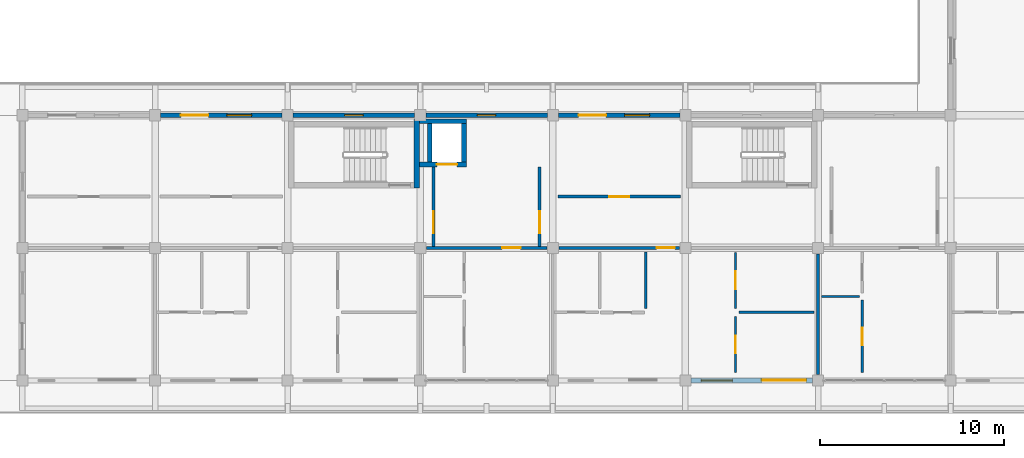
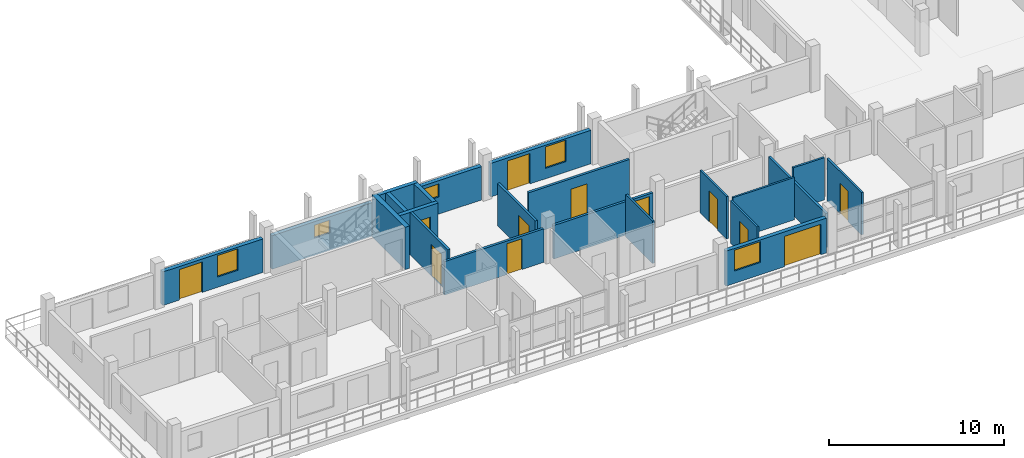
# One storey, part 53 of 78: 22 walls, 12 doors, 5 windows, 17 openings.
"""IFC4 building model written with IfcOpenShell, lengths in metres."""

from ifc_helpers import new_model, si_unit, direction, frame, frame_2d, origin, place, context, subcontext, project, spatial, rectangle, extrude, material, layer, layer_set, type_object, element, fill, save


model = new_model("IFC4")

# Units and contexts
model_context = context("Model", 3, precision=1e-05, world=origin(), true_north=direction((0.0, 1.0)))
body_context = subcontext(model_context, "Body", "Model", "MODEL_VIEW")
ifc_project = project(units=[si_unit("LENGTHUNIT", "METRE"), si_unit("AREAUNIT", "SQUARE_METRE"), si_unit("VOLUMEUNIT", "CUBIC_METRE"), si_unit("PLANEANGLEUNIT", "RADIAN"), si_unit("MASSUNIT", "GRAM", prefix="KILO")], contexts=[model_context])

# Site, building, storey
site_placement = place(None, origin())
site = spatial("IfcSite", under=ifc_project, at=site_placement, CompositionType="ELEMENT")
building_placement = place(site_placement, origin())
building = spatial("IfcBuilding", under=site, at=building_placement, Name="Suanplinth Sawtooth Commons", CompositionType="ELEMENT")
storey_placement = place(building_placement, frame((0.0, 0.0, 15.39990234375)))
storey = spatial("IfcBuildingStorey", under=building, at=storey_placement, Name="L04", CompositionType="ELEMENT", Elevation=15.39990234375)

# Wall
ifc_material_1 = material(Name="Concrete C40/50", Category="concrete")
ifc_layer_1 = layer(ifc_material_1, 0.300048828125, Name="Standard RC stair and lift core wall 300mm")
ifc_layer_set_1 = layer_set([ifc_layer_1], Name="Concrete C40/50")
wall_type_1 = type_object("IfcWallType", Name="W-CR02", PredefinedType="SHEAR", material=ifc_layer_set_1)
wall_1_placement = place(storey_placement, frame((143.800048828125, 10.449951171875, 0.0), z_axis=(0.0, 0.0, 1.0), x_axis=(0.0, 1.0, 0.0)))
element("IfcWall", 1, at=wall_1_placement, inside=storey, type_object=wall_type_1, Name="W-L04-C-C1-STE", PredefinedType="SHEAR", context=body_context, shape_type="SweptSolid", body=[
    extrude(rectangle(XDim=3.75, YDim=0.300048828125, at=frame_2d((1.875, 0.0))), origin(), (0.0, 0.0, 1.0), 2.9501953125),
])

# Wall, openings, door, window
ifc_material_2 = material(Name="Precast concrete C40/50", Category="concrete")
ifc_layer_2 = layer(ifc_material_2, 0.260009765625, Name="Insulated precast courtyard facade wall 260mm")
ifc_layer_set_2 = layer_set([ifc_layer_2], Name="Precast concrete C40/50")
wall_type_2 = type_object("IfcWallType", Name="W-EX02", PredefinedType="ELEMENTEDWALL", material=ifc_layer_set_2)
wall_2_placement = place(storey_placement, frame((129.89990234375, 14.39990234375, 0.0), z_axis=(0.0, 0.0, 1.0), x_axis=(1.0, 0.0, 0.0)))
wall_2 = element("IfcWall", 2, at=wall_2_placement, inside=storey, type_object=wall_type_2, Name="Facade Wall W-L04-C-N-18-1", PredefinedType="ELEMENTEDWALL", context=body_context, shape_type="SweptSolid", body=[
    extrude(rectangle(XDim=6.60009765625, YDim=0.260009765625, at=frame_2d((3.300048828125, 0.0))), origin(), (0.0, 0.0, 1.0), 2.335205078125),
])
opening_1_placement = place(wall_2_placement, frame((1.10009765625, 0.0, 0.0)))
opening_1 = element("IfcOpeningElement", 3, at=opening_1_placement, cuts=wall_2, Name="Opening ED0361", PredefinedType="OPENING", context=body_context, shape_type="SweptSolid", body=[
    extrude(rectangle(XDim=1.5, YDim=2.1201171875, at=frame_2d((0.75, 1.06005859375))), frame((0.0, 0.14501953125, 0.0), z_axis=(0.0, -1.0, 0.0), x_axis=(1.0, 0.0, 0.0)), (0.0, 0.0, 1.0), 0.289794921875),
])
opening_2_placement = place(wall_2_placement, frame((3.60009765625, 0.0, 0.72509765625)))
opening_2 = element("IfcOpeningElement", 4, at=opening_2_placement, cuts=wall_2, Name="Opening W0459", PredefinedType="OPENING", context=body_context, shape_type="SweptSolid", body=[
    extrude(rectangle(XDim=1.35009765625, YDim=1.5, at=frame_2d((0.675048828125, 0.75))), frame((0.0, 0.14501953125, 0.0), z_axis=(0.0, -1.0, 0.0), x_axis=(1.0, 0.0, 0.0)), (0.0, 0.0, 1.0), 0.289794921875),
])
ifc_material_3 = material(Name="Anodized aluminium and low-E glass", Category="aluminium")
door_type_1 = type_object("IfcDoorType", Name="SD-03", OperationType="SLIDING_TO_LEFT", PredefinedType="DOOR", material=ifc_material_3)
door_1_placement = place(opening_1_placement, frame((1.5, 0.0, 0.0), z_axis=(0.0, 0.0, 1.0), x_axis=(-1.0, 0.0, 0.0)))
door_1 = element("IfcDoor", 5, at=door_1_placement, inside=storey, type_object=door_type_1, Name="Courtyard Balcony Door L04-C-18", OperationType="SLIDING_TO_LEFT", OverallHeight=2.1201171875, OverallWidth=1.5, PredefinedType="DOOR", context=body_context, shape_type="SweptSolid", body=[
    extrude(rectangle(XDim=1.5, YDim=2.1201171875, at=frame_2d((0.75, 1.06005859375))), frame((0.0, 0.02490234375, 0.0), z_axis=(0.0, -1.0, 0.0), x_axis=(1.0, 0.0, 0.0)), (0.0, 0.0, 1.0), 0.050048828125),
])
fill(opening_1, door_1)
ifc_material_4 = material(Name="Thermally broken aluminium and low-E double glazing", Category="aluminium")
window_type_1 = type_object("IfcWindowType", Name="WN-14", PartitioningType="SINGLE_PANEL", PredefinedType="WINDOW", material=ifc_material_4)
window_1_placement = place(opening_2_placement, origin())
window_1 = element("IfcWindow", 6, at=window_1_placement, inside=storey, type_object=window_type_1, Name="Courtyard Window L04-C-18", OverallHeight=1.5, OverallWidth=1.35009765625, PartitioningType="SINGLE_PANEL", PredefinedType="WINDOW", context=body_context, shape_type="SweptSolid", body=[
    extrude(rectangle(XDim=1.35009765625, YDim=1.5, at=frame_2d((0.675048828125, 0.75))), frame((0.0, 0.030029296875, 0.0), z_axis=(0.0, -1.0, 0.0), x_axis=(1.0, 0.0, 0.0)), (0.0, 0.0, 1.0), 0.06005859375),
])
fill(opening_2, window_1)

# Wall, opening, window
wall_3_placement = place(storey_placement, frame((137.10009765625, 14.39990234375, 0.0), z_axis=(0.0, 0.0, 1.0), x_axis=(1.0, 0.0, 0.0)))
wall_3 = element("IfcWall", 7, at=wall_3_placement, inside=storey, type_object=wall_type_2, Name="Facade Wall W-L04-C-N-19-1", PredefinedType="ELEMENTEDWALL", context=body_context, shape_type="SweptSolid", body=[
    extrude(rectangle(XDim=6.599853515625, YDim=0.260009765625, at=frame_2d((3.2998046875, 0.0))), origin(), (0.0, 0.0, 1.0), 2.335205078125),
])
opening_3_placement = place(wall_3_placement, frame((2.800048828125, 0.0, 1.199951171875)))
opening_3 = element("IfcOpeningElement", 8, at=opening_3_placement, cuts=wall_3, Name="Opening W0461", PredefinedType="OPENING", context=body_context, shape_type="SweptSolid", body=[
    extrude(rectangle(XDim=1.0, YDim=0.89990234375, at=frame_2d((0.5, 0.449951171875))), frame((0.0, 0.14501953125, 0.0), z_axis=(0.0, -1.0, 0.0), x_axis=(1.0, 0.0, 0.0)), (0.0, 0.0, 1.0), 0.289794921875),
])
window_type_2 = type_object("IfcWindowType", Name="WN-12", PartitioningType="SINGLE_PANEL", PredefinedType="WINDOW", material=ifc_material_4)
window_2_placement = place(opening_3_placement, origin())
window_2 = element("IfcWindow", 9, at=window_2_placement, inside=storey, type_object=window_type_2, Name="Core Daylight Window L04-C-19-1", OverallHeight=0.89990234375, OverallWidth=1.0, PartitioningType="SINGLE_PANEL", PredefinedType="WINDOW", context=body_context, shape_type="SweptSolid", body=[
    extrude(rectangle(XDim=1.0, YDim=0.89990234375, at=frame_2d((0.5, 0.449951171875))), frame((0.0, 0.030029296875, 0.0), z_axis=(0.0, -1.0, 0.0), x_axis=(1.0, 0.0, 0.0)), (0.0, 0.0, 1.0), 0.06005859375),
])
fill(opening_3, window_2)

wall_4_placement = place(storey_placement, frame((144.300048828125, 14.39990234375, 0.0), z_axis=(0.0, 0.0, 1.0), x_axis=(1.0, 0.0, 0.0)))
wall_4 = element("IfcWall", 10, at=wall_4_placement, inside=storey, type_object=wall_type_2, Name="Facade Wall W-L04-C-N-20-1", PredefinedType="ELEMENTEDWALL", context=body_context, shape_type="SweptSolid", body=[
    extrude(rectangle(XDim=6.599853515625, YDim=0.260009765625, at=frame_2d((3.2998046875, 0.0))), origin(), (0.0, 0.0, 1.0), 2.335205078125),
])
opening_4_placement = place(wall_4_placement, frame((2.800048828125, 0.0, 1.199951171875)))
opening_4 = element("IfcOpeningElement", 11, at=opening_4_placement, cuts=wall_4, Name="Opening W0462", PredefinedType="OPENING", context=body_context, shape_type="SweptSolid", body=[
    extrude(rectangle(XDim=1.0, YDim=0.89990234375, at=frame_2d((0.5, 0.449951171875))), frame((0.0, 0.14501953125, 0.0), z_axis=(0.0, -1.0, 0.0), x_axis=(1.0, 0.0, 0.0)), (0.0, 0.0, 1.0), 0.289794921875),
])
window_3_placement = place(opening_4_placement, origin())
window_3 = element("IfcWindow", 12, at=window_3_placement, inside=storey, type_object=window_type_2, Name="Core Daylight Window L04-C-20-1", OverallHeight=0.89990234375, OverallWidth=1.0, PartitioningType="SINGLE_PANEL", PredefinedType="WINDOW", context=body_context, shape_type="SweptSolid", body=[
    extrude(rectangle(XDim=1.0, YDim=0.89990234375, at=frame_2d((0.5, 0.449951171875))), frame((0.0, 0.030029296875, 0.0), z_axis=(0.0, -1.0, 0.0), x_axis=(1.0, 0.0, 0.0)), (0.0, 0.0, 1.0), 0.06005859375),
])
fill(opening_4, window_3)

# Wall, openings, door, window
wall_5_placement = place(storey_placement, frame((151.5, 14.39990234375, 0.0), z_axis=(0.0, 0.0, 1.0), x_axis=(1.0, 0.0, 0.0)))
wall_5 = element("IfcWall", 13, at=wall_5_placement, inside=storey, type_object=wall_type_2, Name="Facade Wall W-L04-C-N-21-1", PredefinedType="ELEMENTEDWALL", context=body_context, shape_type="SweptSolid", body=[
    extrude(rectangle(XDim=6.60009765625, YDim=0.260009765625, at=frame_2d((3.300048828125, 0.0))), origin(), (0.0, 0.0, 1.0), 2.335205078125),
])
opening_5_placement = place(wall_5_placement, frame((1.10009765625, 0.0, 0.0)))
opening_5 = element("IfcOpeningElement", 14, at=opening_5_placement, cuts=wall_5, Name="Opening ED0364", PredefinedType="OPENING", context=body_context, shape_type="SweptSolid", body=[
    extrude(rectangle(XDim=1.5, YDim=2.1201171875, at=frame_2d((0.75, 1.06005859375))), frame((0.0, 0.14501953125, 0.0), z_axis=(0.0, -1.0, 0.0), x_axis=(1.0, 0.0, 0.0)), (0.0, 0.0, 1.0), 0.289794921875),
])
opening_6_placement = place(wall_5_placement, frame((3.60009765625, 0.0, 0.72509765625)))
opening_6 = element("IfcOpeningElement", 15, at=opening_6_placement, cuts=wall_5, Name="Opening W0464", PredefinedType="OPENING", context=body_context, shape_type="SweptSolid", body=[
    extrude(rectangle(XDim=1.35009765625, YDim=1.5, at=frame_2d((0.675048828125, 0.75))), frame((0.0, 0.14501953125, 0.0), z_axis=(0.0, -1.0, 0.0), x_axis=(1.0, 0.0, 0.0)), (0.0, 0.0, 1.0), 0.289794921875),
])
door_2_placement = place(opening_5_placement, frame((1.5, 0.0, 0.0), z_axis=(0.0, 0.0, 1.0), x_axis=(-1.0, 0.0, 0.0)))
door_2 = element("IfcDoor", 16, at=door_2_placement, inside=storey, type_object=door_type_1, Name="Courtyard Balcony Door L04-C-21", OperationType="SLIDING_TO_LEFT", OverallHeight=2.1201171875, OverallWidth=1.5, PredefinedType="DOOR", context=body_context, shape_type="SweptSolid", body=[
    extrude(rectangle(XDim=1.5, YDim=2.1201171875, at=frame_2d((0.75, 1.06005859375))), frame((0.0, 0.02490234375, 0.0), z_axis=(0.0, -1.0, 0.0), x_axis=(1.0, 0.0, 0.0)), (0.0, 0.0, 1.0), 0.050048828125),
])
fill(opening_5, door_2)
window_4_placement = place(opening_6_placement, origin())
window_4 = element("IfcWindow", 17, at=window_4_placement, inside=storey, type_object=window_type_1, Name="Courtyard Window L04-C-21", OverallHeight=1.5, OverallWidth=1.35009765625, PartitioningType="SINGLE_PANEL", PredefinedType="WINDOW", context=body_context, shape_type="SweptSolid", body=[
    extrude(rectangle(XDim=1.35009765625, YDim=1.5, at=frame_2d((0.675048828125, 0.75))), frame((0.0, 0.030029296875, 0.0), z_axis=(0.0, -1.0, 0.0), x_axis=(1.0, 0.0, 0.0)), (0.0, 0.0, 1.0), 0.06005859375),
])
fill(opening_6, window_4)

wall_6_placement = place(storey_placement, frame((158.699951171875, 0.0, 0.0), z_axis=(0.0, 0.0, 1.0), x_axis=(1.0, 0.0, 0.0)))
wall_6 = element("IfcWall", 18, at=wall_6_placement, inside=storey, type_object=wall_type_2, Name="Facade Wall W-L04-C-S-22-0", PredefinedType="ELEMENTEDWALL", context=body_context, shape_type="SweptSolid", body=[
    extrude(rectangle(XDim=6.60009765625, YDim=0.260009765625, at=frame_2d((3.300048828125, 0.0))), origin(), (0.0, 0.0, 1.0), 2.43017578125),
])
opening_7_placement = place(wall_6_placement, frame((3.85009765625, 0.0, 0.0)))
opening_7 = element("IfcOpeningElement", 19, at=opening_7_placement, cuts=wall_6, Name="Opening ED0365", PredefinedType="OPENING", context=body_context, shape_type="SweptSolid", body=[
    extrude(rectangle(XDim=2.39990234375, YDim=2.1201171875, at=frame_2d((1.199951171875, 1.06005859375))), frame((0.0, 0.14501953125, 0.0), z_axis=(0.0, -1.0, 0.0), x_axis=(1.0, 0.0, 0.0)), (0.0, 0.0, 1.0), 0.289794921875),
])
opening_8_placement = place(wall_6_placement, frame((0.550048828125, 0.0, 0.860107421875)))
opening_8 = element("IfcOpeningElement", 20, at=opening_8_placement, cuts=wall_6, Name="Opening W0465", PredefinedType="OPENING", context=body_context, shape_type="SweptSolid", body=[
    extrude(rectangle(XDim=1.699951171875, YDim=1.449951171875, at=frame_2d((0.85009765625, 0.72509765625))), frame((0.0, 0.14501953125, 0.0), z_axis=(0.0, -1.0, 0.0), x_axis=(1.0, 0.0, 0.0)), (0.0, 0.0, 1.0), 0.289794921875),
])
door_type_2 = type_object("IfcDoorType", Name="SD-04", OperationType="DOUBLE_DOOR_SLIDING", PredefinedType="DOOR", material=ifc_material_3)
door_3_placement = place(opening_7_placement, frame((2.39990234375, 0.0, 0.0), z_axis=(0.0, 0.0, 1.0), x_axis=(-1.0, 0.0, 0.0)))
door_3 = element("IfcDoor", 21, at=door_3_placement, inside=storey, type_object=door_type_2, Name="Balcony Sliding Door L04-C-22", OperationType="DOUBLE_DOOR_SLIDING", OverallHeight=2.1201171875, OverallWidth=2.39990234375, PredefinedType="DOOR", context=body_context, shape_type="SweptSolid", body=[
    extrude(rectangle(XDim=2.39990234375, YDim=2.1201171875, at=frame_2d((1.199951171875, 1.06005859375))), frame((0.0, 0.02490234375, 0.0), z_axis=(0.0, -1.0, 0.0), x_axis=(1.0, 0.0, 0.0)), (0.0, 0.0, 1.0), 0.050048828125),
])
fill(opening_7, door_3)
window_type_3 = type_object("IfcWindowType", Name="WN-15", PartitioningType="DOUBLE_PANEL_VERTICAL", PredefinedType="WINDOW", material=ifc_material_4)
window_5_placement = place(opening_8_placement, origin())
window_5 = element("IfcWindow", 22, at=window_5_placement, inside=storey, type_object=window_type_3, Name="Apartment Window L04-C-22", OverallHeight=1.449951171875, OverallWidth=1.699951171875, PartitioningType="DOUBLE_PANEL_VERTICAL", PredefinedType="WINDOW", context=body_context, shape_type="SweptSolid", body=[
    extrude(rectangle(XDim=1.699951171875, YDim=1.449951171875, at=frame_2d((0.85009765625, 0.72509765625))), frame((0.0, 0.030029296875, 0.0), z_axis=(0.0, -1.0, 0.0), x_axis=(1.0, 0.0, 0.0)), (0.0, 0.0, 1.0), 0.06005859375),
])
fill(opening_8, window_5)

# Wall, opening, door
ifc_layer_3 = layer(ifc_material_2, 0.159912109375, Name="Fire-rated corridor and lobby wall 160mm")
ifc_layer_set_3 = layer_set([ifc_layer_3], Name="Precast concrete C40/50")
wall_type_3 = type_object("IfcWallType", Name="W-FW01", PredefinedType="PARTITIONING", material=ifc_layer_set_3)
wall_7_placement = place(storey_placement, frame((144.719970703125, 7.280029296875, 0.0), z_axis=(0.0, 0.0, 1.0), x_axis=(0.0, 1.0, 0.0)))
wall_7 = element("IfcWall", 23, at=wall_7_placement, inside=storey, type_object=wall_type_3, Name="W-L04-C-C1-LOB-W", PredefinedType="PARTITIONING", context=body_context, shape_type="SweptSolid", body=[
    extrude(rectangle(XDim=4.320068359375, YDim=0.159912109375, at=frame_2d((2.16015625, 0.0))), origin(), (0.0, 0.0, 1.0), 2.9501953125),
])
opening_9_placement = place(wall_7_placement, frame((0.719970703125, 0.0, 0.0)))
opening_9 = element("IfcOpeningElement", 24, at=opening_9_placement, cuts=wall_7, Name="Opening FD0297", PredefinedType="OPENING", context=body_context, shape_type="SweptSolid", body=[
    extrude(rectangle(XDim=1.199951171875, YDim=2.199951171875, at=frame_2d((0.60009765625, 1.10009765625))), frame((0.0, 0.0947265625, 0.0), z_axis=(0.0, -1.0, 0.0), x_axis=(1.0, 0.0, 0.0)), (0.0, 0.0, 1.0), 0.189697265625),
])
ifc_material_5 = material(Name="Teak hardwood fire-rated door assembly", Category="wood")
door_type_3 = type_object("IfcDoorType", Name="FD-02", OperationType="NOTDEFINED", PredefinedType="DOOR", material=ifc_material_5)
door_4_placement = place(opening_9_placement, origin())
door_4 = element("IfcDoor", 25, at=door_4_placement, inside=storey, type_object=door_type_3, Name="Lobby Fire Door FD0297", OperationType="SINGLE_SWING_LEFT", OverallHeight=2.199951171875, OverallWidth=1.199951171875, PredefinedType="DOOR", context=body_context, shape_type="SweptSolid", body=[
    extrude(rectangle(XDim=1.199951171875, YDim=2.199951171875, at=frame_2d((0.60009765625, 1.10009765625))), frame((0.0, 0.02490234375, 0.0), z_axis=(0.0, -1.0, 0.0), x_axis=(1.0, 0.0, 0.0)), (0.0, 0.0, 1.0), 0.050048828125),
])
fill(opening_9, door_4)

wall_8_placement = place(storey_placement, frame((150.47998046875, 7.280029296875, 0.0), z_axis=(0.0, 0.0, 1.0), x_axis=(0.0, 1.0, 0.0)))
wall_8 = element("IfcWall", 26, at=wall_8_placement, inside=storey, type_object=wall_type_3, Name="W-L04-C-C1-LOB-E", PredefinedType="PARTITIONING", context=body_context, shape_type="SweptSolid", body=[
    extrude(rectangle(XDim=4.320068359375, YDim=0.159912109375, at=frame_2d((2.16015625, 0.0))), origin(), (0.0, 0.0, 1.0), 2.9501953125),
])
opening_10_placement = place(wall_8_placement, frame((0.719970703125, 0.0, 0.0)))
opening_10 = element("IfcOpeningElement", 27, at=opening_10_placement, cuts=wall_8, Name="Opening FD0298", PredefinedType="OPENING", context=body_context, shape_type="SweptSolid", body=[
    extrude(rectangle(XDim=1.199951171875, YDim=2.199951171875, at=frame_2d((0.60009765625, 1.10009765625))), frame((0.0, 0.0947265625, 0.0), z_axis=(0.0, -1.0, 0.0), x_axis=(1.0, 0.0, 0.0)), (0.0, 0.0, 1.0), 0.189697265625),
])
door_5_placement = place(opening_10_placement, frame((1.199951171875, 0.0, 0.0), z_axis=(0.0, 0.0, 1.0), x_axis=(-1.0, 0.0, 0.0)))
door_5 = element("IfcDoor", 28, at=door_5_placement, inside=storey, type_object=door_type_3, Name="Lobby Fire Door FD0298", OperationType="SINGLE_SWING_RIGHT", OverallHeight=2.199951171875, OverallWidth=1.199951171875, PredefinedType="DOOR", context=body_context, shape_type="SweptSolid", body=[
    extrude(rectangle(XDim=1.199951171875, YDim=2.199951171875, at=frame_2d((0.60009765625, 1.10009765625))), frame((0.0, 0.02490234375, 0.0), z_axis=(0.0, -1.0, 0.0), x_axis=(1.0, 0.0, 0.0)), (0.0, 0.0, 1.0), 0.050048828125),
])
fill(opening_10, door_5)

wall_9_placement = place(storey_placement, frame((144.330078125, 7.199951171875, 0.0), z_axis=(0.0, 0.0, 1.0), x_axis=(1.0, 0.0, 0.0)))
wall_9 = element("IfcWall", 29, at=wall_9_placement, inside=storey, type_object=wall_type_3, Name="W-C-L04-U03-COR", PredefinedType="PARTITIONING", context=body_context, shape_type="SweptSolid", body=[
    extrude(rectangle(XDim=6.5400390625, YDim=0.159912109375, at=frame_2d((3.27001953125, 0.0))), origin(), (0.0, 0.0, 1.0), 2.335205078125),
])
opening_11_placement = place(wall_9_placement, frame((4.1201171875, 0.0, 0.0)))
opening_11 = element("IfcOpeningElement", 30, at=opening_11_placement, cuts=wall_9, Name="Opening FD1140", PredefinedType="OPENING", context=body_context, shape_type="SweptSolid", body=[
    extrude(rectangle(XDim=1.0, YDim=2.14990234375, at=frame_2d((0.5, 1.074951171875))), frame((0.0, 0.0947265625, 0.0), z_axis=(0.0, -1.0, 0.0), x_axis=(1.0, 0.0, 0.0)), (0.0, 0.0, 1.0), 0.189697265625),
])
door_type_4 = type_object("IfcDoorType", Name="FD-03", OperationType="NOTDEFINED", PredefinedType="DOOR", material=ifc_material_5)
door_6_placement = place(opening_11_placement, frame((1.0, 0.0, 0.0), z_axis=(0.0, 0.0, 1.0), x_axis=(-1.0, 0.0, 0.0)))
door_6 = element("IfcDoor", 31, at=door_6_placement, inside=storey, type_object=door_type_4, Name="Unit Entrance Door FD1140", OperationType="SINGLE_SWING_RIGHT", OverallHeight=2.14990234375, OverallWidth=1.0, PredefinedType="DOOR", context=body_context, shape_type="SweptSolid", body=[
    extrude(rectangle(XDim=1.0, YDim=2.14990234375, at=frame_2d((0.5, 1.074951171875))), frame((0.0, 0.02490234375, 0.0), z_axis=(0.0, -1.0, 0.0), x_axis=(1.0, 0.0, 0.0)), (0.0, 0.0, 1.0), 0.050048828125),
])
fill(opening_11, door_6)

wall_10_placement = place(storey_placement, frame((151.530029296875, 7.199951171875, 0.0), z_axis=(0.0, 0.0, 1.0), x_axis=(1.0, 0.0, 0.0)))
wall_10 = element("IfcWall", 32, at=wall_10_placement, inside=storey, type_object=wall_type_3, Name="W-C-L04-U04-COR-S1", PredefinedType="PARTITIONING", context=body_context, shape_type="SweptSolid", body=[
    extrude(rectangle(XDim=6.5400390625, YDim=0.159912109375, at=frame_2d((3.27001953125, 0.0))), origin(), (0.0, 0.0, 1.0), 2.335205078125),
])
opening_12_placement = place(wall_10_placement, frame((5.300048828125, 0.0, 0.0)))
opening_12 = element("IfcOpeningElement", 33, at=opening_12_placement, cuts=wall_10, Name="Opening FD1143", PredefinedType="OPENING", context=body_context, shape_type="SweptSolid", body=[
    extrude(rectangle(XDim=1.0, YDim=2.14990234375, at=frame_2d((0.5, 1.074951171875))), frame((0.0, 0.0947265625, 0.0), z_axis=(0.0, -1.0, 0.0), x_axis=(1.0, 0.0, 0.0)), (0.0, 0.0, 1.0), 0.189697265625),
])
door_7_placement = place(opening_12_placement, frame((1.0, 0.0, 0.0), z_axis=(0.0, 0.0, 1.0), x_axis=(-1.0, 0.0, 0.0)))
door_7 = element("IfcDoor", 34, at=door_7_placement, inside=storey, type_object=door_type_4, Name="Unit Entrance Door FD1143", OperationType="SINGLE_SWING_LEFT", OverallHeight=2.14990234375, OverallWidth=1.0, PredefinedType="DOOR", context=body_context, shape_type="SweptSolid", body=[
    extrude(rectangle(XDim=1.0, YDim=2.14990234375, at=frame_2d((0.5, 1.074951171875))), frame((0.0, 0.02490234375, 0.0), z_axis=(0.0, -1.0, 0.0), x_axis=(1.0, 0.0, 0.0)), (0.0, 0.0, 1.0), 0.050048828125),
])
fill(opening_12, door_7)

wall_11_placement = place(storey_placement, frame((151.47998046875, 9.97998046875, 0.0), z_axis=(0.0, 0.0, 1.0), x_axis=(1.0, 0.0, 0.0)))
wall_11 = element("IfcWall", 35, at=wall_11_placement, inside=storey, type_object=wall_type_3, Name="W-C-L04-COURTROOM-50-COR", PredefinedType="PARTITIONING", context=body_context, shape_type="SweptSolid", body=[
    extrude(rectangle(XDim=6.64013671875, YDim=0.159912109375, at=frame_2d((3.320068359375, 0.0))), origin(), (0.0, 0.0, 1.0), 2.9501953125),
])
opening_13_placement = place(wall_11_placement, frame((2.780029296875, 0.0, 0.0)))
opening_13 = element("IfcOpeningElement", 36, at=opening_13_placement, cuts=wall_11, Name="Opening D1158", PredefinedType="OPENING", context=body_context, shape_type="SweptSolid", body=[
    extrude(rectangle(XDim=1.080078125, YDim=2.219970703125, at=frame_2d((0.5400390625, 1.10986328125))), frame((0.0, 0.0947265625, 0.0), z_axis=(0.0, -1.0, 0.0), x_axis=(1.0, 0.0, 0.0)), (0.0, 0.0, 1.0), 0.189697265625),
])
ifc_material_6 = material(Name="Teak hardwood", Category="wood")
door_type_5 = type_object("IfcDoorType", Name="D-17", OperationType="NOTDEFINED", PredefinedType="DOOR", material=ifc_material_6)
door_8_placement = place(opening_13_placement, origin())
door_8 = element("IfcDoor", 37, at=door_8_placement, inside=storey, type_object=door_type_5, Name="Study Studio Door D1158", OperationType="SINGLE_SWING_RIGHT", OverallHeight=2.219970703125, OverallWidth=1.080078125, PredefinedType="DOOR", context=body_context, shape_type="SweptSolid", body=[
    extrude(rectangle(XDim=1.080078125, YDim=2.219970703125, at=frame_2d((0.5400390625, 1.10986328125))), frame((0.0, 0.02490234375, 0.0), z_axis=(0.0, -1.0, 0.0), x_axis=(1.0, 0.0, 0.0)), (0.0, 0.0, 1.0), 0.050048828125),
])
fill(opening_13, door_8)

# Walls
ifc_layer_4 = layer(ifc_material_2, 0.14990234375, Name="Acoustic precast party demising wall 150mm")
ifc_layer_set_4 = layer_set([ifc_layer_4], Name="Precast concrete C40/50")
wall_type_4 = type_object("IfcWallType", Name="W-FW02", PredefinedType="PARTITIONING", material=ifc_layer_set_4)
wall_12_placement = place(storey_placement, frame((165.60009765625, 0.330078125, 0.0), z_axis=(0.0, 0.0, 1.0), x_axis=(0.0, 1.0, 0.0)))
element("IfcWall", 38, at=wall_12_placement, inside=storey, type_object=wall_type_4, Name="W-C-L04-U04-PTY", PredefinedType="PARTITIONING", context=body_context, shape_type="SweptSolid", body=[
    extrude(rectangle(XDim=6.5400390625, YDim=0.14990234375, at=frame_2d((3.27001953125, 0.0))), origin(), (0.0, 0.0, 1.0), 2.385009765625),
])
ifc_material_7 = material(Name="Gypsum plasterboard on steel stud", Category="steel")
ifc_layer_5 = layer(ifc_material_7, 0.139892578125, Name="Fire-rated kitchen partition 140mm")
ifc_layer_set_5 = layer_set([ifc_layer_5], Name="Gypsum plasterboard on steel stud")
wall_type_5 = type_object("IfcWallType", Name="W-PT01", PredefinedType="PARTITIONING", material=ifc_layer_set_5)
wall_13_placement = place(storey_placement, frame((156.25, 3.909912109375, 0.0), z_axis=(0.0, 0.0, 1.0), x_axis=(0.0, 1.0, 0.0)))
element("IfcWall", 39, at=wall_13_placement, inside=storey, type_object=wall_type_5, Name="W-C-L04-U04-KIT2", PredefinedType="PARTITIONING", context=body_context, shape_type="SweptSolid", body=[
    extrude(rectangle(XDim=3.06005859375, YDim=0.139892578125, at=frame_2d((1.530029296875, 0.0))), origin(), (0.0, 0.0, 1.0), 2.9501953125),
])

# Wall, opening, door
wall_14_placement = place(storey_placement, frame((167.9951171875, 0.419921875, 0.0), z_axis=(0.0, 0.0, 1.0), x_axis=(0.0, 1.0, 0.0)))
wall_14 = element("IfcWall", 40, at=wall_14_placement, inside=storey, type_object=wall_type_5, Name="W-C-L04-U05-KITE", PredefinedType="PARTITIONING", context=body_context, shape_type="SweptSolid", body=[
    extrude(rectangle(XDim=3.940185546875, YDim=0.139892578125, at=frame_2d((1.97021484375, 0.0))), origin(), (0.0, 0.0, 1.0), 2.9501953125),
])
opening_14_placement = place(wall_14_placement, frame((1.5048828125, 0.0, 0.0)))
opening_14 = element("IfcOpeningElement", 41, at=opening_14_placement, cuts=wall_14, Name="Opening D1150", PredefinedType="OPENING", context=body_context, shape_type="SweptSolid", body=[
    extrude(rectangle(XDim=0.929931640625, YDim=2.139892578125, at=frame_2d((0.46484375, 1.06982421875))), frame((0.0, 0.0849609375, 0.0), z_axis=(0.0, -1.0, 0.0), x_axis=(1.0, 0.0, 0.0)), (0.0, 0.0, 1.0), 0.169677734375),
])
door_type_6 = type_object("IfcDoorType", Name="D-19", OperationType="NOTDEFINED", PredefinedType="DOOR", material=ifc_material_6)
door_9_placement = place(opening_14_placement, origin())
door_9 = element("IfcDoor", 42, at=door_9_placement, inside=storey, type_object=door_type_6, Name="Kitchen Door D1150", OperationType="SINGLE_SWING_RIGHT", OverallHeight=2.139892578125, OverallWidth=0.929931640625, PredefinedType="DOOR", context=body_context, shape_type="SweptSolid", body=[
    extrude(rectangle(XDim=0.929931640625, YDim=2.139892578125, at=frame_2d((0.46484375, 1.06982421875))), frame((0.0, 0.02490234375, 0.0), z_axis=(0.0, -1.0, 0.0), x_axis=(1.0, 0.0, 0.0)), (0.0, 0.0, 1.0), 0.050048828125),
])
fill(opening_14, door_9)

# Wall
ifc_layer_6 = layer(ifc_material_7, 0.1298828125, Name="Moisture-resistant bathroom partition 130mm")
ifc_layer_set_6 = layer_set([ifc_layer_6], Name="Gypsum plasterboard on steel stud")
wall_type_6 = type_object("IfcWallType", Name="W-PT02", PredefinedType="PARTITIONING", material=ifc_layer_set_6)
wall_15_placement = place(storey_placement, frame((165.800048828125, 4.56005859375, 0.0), z_axis=(0.0, 0.0, 1.0), x_axis=(1.0, 0.0, 0.0)))
element("IfcWall", 43, at=wall_15_placement, inside=storey, type_object=wall_type_6, Name="W-C-L04-U05-STDIV", PredefinedType="PARTITIONING", context=body_context, shape_type="SweptSolid", body=[
    extrude(rectangle(XDim=2.050048828125, YDim=0.1298828125, at=frame_2d((1.02490234375, 0.0))), origin(), (0.0, 0.0, 1.0), 2.9501953125),
])

# Wall, opening, door
ifc_layer_7 = layer(ifc_material_7, 0.1201171875, Name="Acoustic bedroom partition 120mm")
ifc_layer_set_7 = layer_set([ifc_layer_7], Name="Gypsum plasterboard on steel stud")
wall_type_7 = type_object("IfcWallType", Name="W-PT03", PredefinedType="PARTITIONING", material=ifc_layer_set_7)
wall_16_placement = place(storey_placement, frame((161.1201171875, 0.43994140625, 0.0), z_axis=(0.0, 0.0, 1.0), x_axis=(0.0, 1.0, 0.0)))
wall_16 = element("IfcWall", 44, at=wall_16_placement, inside=storey, type_object=wall_type_7, Name="W-C-L04-U04-BED1", PredefinedType="PARTITIONING", context=body_context, shape_type="SweptSolid", body=[
    extrude(rectangle(XDim=3.0400390625, YDim=0.1201171875, at=frame_2d((1.52001953125, 0.0))), origin(), (0.0, 0.0, 1.0), 2.9501953125),
])
opening_15_placement = place(wall_16_placement, frame((1.044921875, 0.0, 0.0)))
opening_15 = element("IfcOpeningElement", 45, at=opening_15_placement, cuts=wall_16, Name="Opening D1146", PredefinedType="OPENING", context=body_context, shape_type="SweptSolid", body=[
    extrude(rectangle(XDim=0.949951171875, YDim=2.14990234375, at=frame_2d((0.47509765625, 1.074951171875))), frame((0.0, 0.074951171875, 0.0), z_axis=(0.0, -1.0, 0.0), x_axis=(1.0, 0.0, 0.0)), (0.0, 0.0, 1.0), 0.14990234375),
])
door_type_7 = type_object("IfcDoorType", Name="D-03", OperationType="NOTDEFINED", PredefinedType="DOOR", material=ifc_material_6)
door_10_placement = place(opening_15_placement, frame((0.949951171875, 0.0, 0.0), z_axis=(0.0, 0.0, 1.0), x_axis=(-1.0, 0.0, 0.0)))
door_10 = element("IfcDoor", 46, at=door_10_placement, inside=storey, type_object=door_type_7, Name="Bedroom Door D1146", OperationType="SINGLE_SWING_RIGHT", OverallHeight=2.14990234375, OverallWidth=0.949951171875, PredefinedType="DOOR", context=body_context, shape_type="SweptSolid", body=[
    extrude(rectangle(XDim=0.949951171875, YDim=2.14990234375, at=frame_2d((0.47509765625, 1.074951171875))), frame((0.0, 0.02490234375, 0.0), z_axis=(0.0, -1.0, 0.0), x_axis=(1.0, 0.0, 0.0)), (0.0, 0.0, 1.0), 0.050048828125),
])
fill(opening_15, door_10)

wall_17_placement = place(storey_placement, frame((161.1201171875, 3.919921875, 0.0), z_axis=(0.0, 0.0, 1.0), x_axis=(0.0, 1.0, 0.0)))
wall_17 = element("IfcWall", 47, at=wall_17_placement, inside=storey, type_object=wall_type_7, Name="W-C-L04-U04-BED2", PredefinedType="PARTITIONING", context=body_context, shape_type="SweptSolid", body=[
    extrude(rectangle(XDim=3.0400390625, YDim=0.1201171875, at=frame_2d((1.52001953125, 0.0))), origin(), (0.0, 0.0, 1.0), 2.9501953125),
])
opening_16_placement = place(wall_17_placement, frame((1.0400390625, 0.0, 0.0)))
opening_16 = element("IfcOpeningElement", 48, at=opening_16_placement, cuts=wall_17, Name="Opening D1147", PredefinedType="OPENING", context=body_context, shape_type="SweptSolid", body=[
    extrude(rectangle(XDim=0.9599609375, YDim=2.14990234375, at=frame_2d((0.47998046875, 1.074951171875))), frame((0.0, 0.074951171875, 0.0), z_axis=(0.0, -1.0, 0.0), x_axis=(1.0, 0.0, 0.0)), (0.0, 0.0, 1.0), 0.14990234375),
])
door_type_8 = type_object("IfcDoorType", Name="D-13", OperationType="NOTDEFINED", PredefinedType="DOOR", material=ifc_material_6)
door_11_placement = place(opening_16_placement, frame((0.9599609375, 0.0, 0.0), z_axis=(0.0, 0.0, 1.0), x_axis=(-1.0, 0.0, 0.0)))
door_11 = element("IfcDoor", 49, at=door_11_placement, inside=storey, type_object=door_type_8, Name="Second Bedroom Door D1147", OperationType="SINGLE_SWING_LEFT", OverallHeight=2.14990234375, OverallWidth=0.9599609375, PredefinedType="DOOR", context=body_context, shape_type="SweptSolid", body=[
    extrude(rectangle(XDim=0.9599609375, YDim=2.14990234375, at=frame_2d((0.47998046875, 1.074951171875))), frame((0.0, 0.02490234375, 0.0), z_axis=(0.0, -1.0, 0.0), x_axis=(1.0, 0.0, 0.0)), (0.0, 0.0, 1.0), 0.050048828125),
])
fill(opening_16, door_11)

# Wall
ifc_layer_8 = layer(ifc_material_7, 0.125, Name="Acoustic study partition 125mm")
ifc_layer_set_8 = layer_set([ifc_layer_8], Name="Gypsum plasterboard on steel stud")
wall_type_8 = type_object("IfcWallType", Name="W-PT06", PredefinedType="PARTITIONING", material=ifc_layer_set_8)
wall_18_placement = place(storey_placement, frame((161.320068359375, 3.699951171875, 0.0), z_axis=(0.0, 0.0, 1.0), x_axis=(1.0, 0.0, 0.0)))
element("IfcWall", 50, at=wall_18_placement, inside=storey, type_object=wall_type_8, Name="W-C-L04-U04-BEDDIV", PredefinedType="PARTITIONING", context=body_context, shape_type="SweptSolid", body=[
    extrude(rectangle(XDim=4.059814453125, YDim=0.125, at=frame_2d((2.02978515625, 0.0))), origin(), (0.0, 0.0, 1.0), 2.9501953125),
])

# Wall, opening, door
ifc_layer_9 = layer(ifc_material_2, 0.25, Name="Precast structural shear wall 250mm")
ifc_layer_set_9 = layer_set([ifc_layer_9], Name="Precast concrete C40/50")
wall_type_9 = type_object("IfcWallType", Name="W-SH01", PredefinedType="SHEAR", material=ifc_layer_set_9)
wall_19_placement = place(storey_placement, frame((143.949951171875, 11.72509765625, 0.0), z_axis=(0.0, 0.0, 1.0), x_axis=(1.0, 0.0, 0.0)))
wall_19 = element("IfcWall", 51, at=wall_19_placement, inside=storey, type_object=wall_type_9, Name="W-L04-LF5-S", PredefinedType="SHEAR", context=body_context, shape_type="SweptSolid", body=[
    extrude(rectangle(XDim=2.550048828125, YDim=0.25, at=frame_2d((1.27490234375, 0.0))), origin(), (0.0, 0.0, 1.0), 2.9501953125),
])
opening_17_placement = place(wall_19_placement, frame((0.949951171875, 0.0, 0.0)))
opening_17 = element("IfcOpeningElement", 52, at=opening_17_placement, cuts=wall_19, Name="Opening LD0299", PredefinedType="OPENING", context=body_context, shape_type="SweptSolid", body=[
    extrude(rectangle(XDim=1.10009765625, YDim=2.14990234375, at=frame_2d((0.550048828125, 1.074951171875))), frame((0.0, 0.139892578125, 0.0), z_axis=(0.0, -1.0, 0.0), x_axis=(1.0, 0.0, 0.0)), (0.0, 0.0, 1.0), 0.27978515625),
])
ifc_material_8 = material(Name="Stainless steel Grade 304", Category="steel")
door_type_9 = type_object("IfcDoorType", Name="LD-01", OperationType="SLIDING_TO_LEFT", PredefinedType="DOOR", material=ifc_material_8)
door_12_placement = place(opening_17_placement, frame((1.10009765625, 0.0, 0.0), z_axis=(0.0, 0.0, 1.0), x_axis=(-1.0, 0.0, 0.0)))
door_12 = element("IfcDoor", 53, at=door_12_placement, inside=storey, type_object=door_type_9, Name="Lift Landing Sliding Door LF5 L04", OperationType="SLIDING_TO_LEFT", OverallHeight=2.14990234375, OverallWidth=1.10009765625, PredefinedType="DOOR", context=body_context, shape_type="SweptSolid", body=[
    extrude(rectangle(XDim=1.10009765625, YDim=2.14990234375, at=frame_2d((0.550048828125, 1.074951171875))), frame((0.0, 0.02490234375, 0.0), z_axis=(0.0, -1.0, 0.0), x_axis=(1.0, 0.0, 0.0)), (0.0, 0.0, 1.0), 0.050048828125),
])
fill(opening_17, door_12)

# Walls
wall_20_placement = place(storey_placement, frame((143.949951171875, 14.074951171875, 0.0), z_axis=(0.0, 0.0, 1.0), x_axis=(1.0, 0.0, 0.0)))
element("IfcWall", 54, at=wall_20_placement, inside=storey, type_object=wall_type_9, Name="W-L04-LF5-N", PredefinedType="SHEAR", context=body_context, shape_type="SweptSolid", body=[
    extrude(rectangle(XDim=2.550048828125, YDim=0.25, at=frame_2d((1.27490234375, 0.0))), origin(), (0.0, 0.0, 1.0), 2.9501953125),
])
for number, where, z_axis, x_axis, name in (
    (55, (144.52490234375, 11.85009765625, 0.0), (0.0, 0.0, 1.0), (0.0, 1.0, 0.0), "W-L04-LF5-W"),
    (56, (146.375, 11.85009765625, 0.0), (0.0, 0.0, 1.0), (0.0, 1.0, 0.0), "W-L04-LF5-E"),
):
    element("IfcWall", number, at=place(storey_placement, frame(where, z_axis=z_axis, x_axis=x_axis)), inside=storey, type_object=wall_type_9, Name=name, PredefinedType="SHEAR", context=body_context, shape_type="SweptSolid", body=[
        extrude(rectangle(XDim=2.099853515625, YDim=0.25, at=frame_2d((1.0498046875, 0.0))), origin(), (0.0, 0.0, 1.0), 2.9501953125),
    ])

save(model, "model.ifc")
